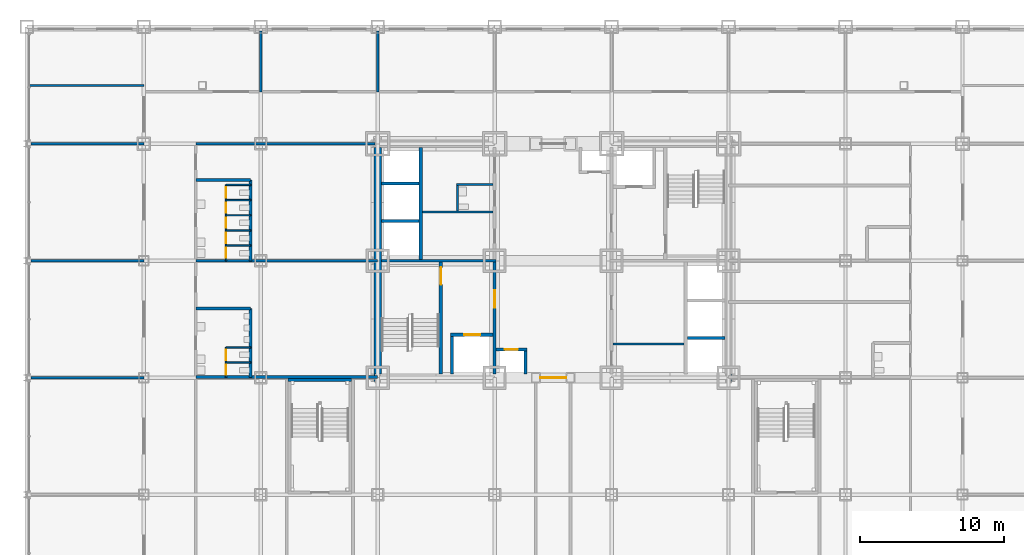
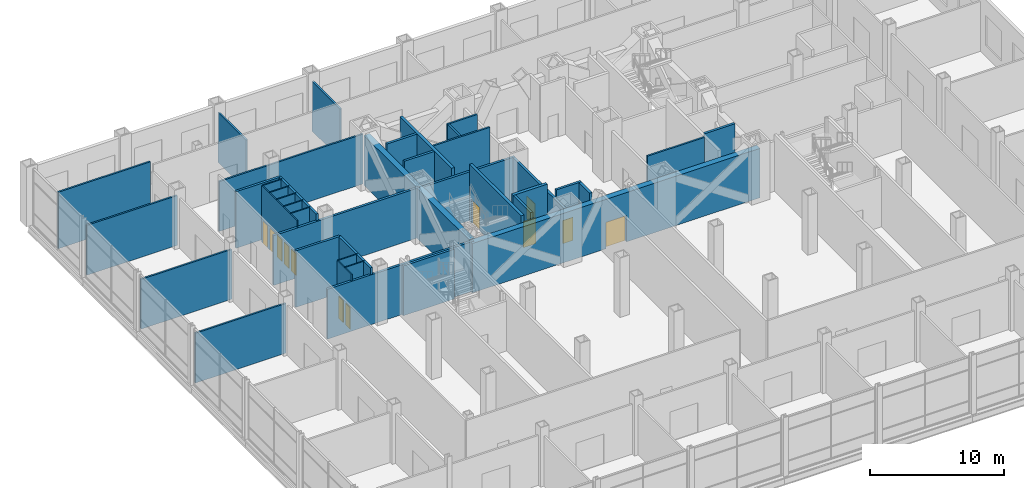
# One storey, part 23 of 30: 40 walls, 12 doors, 12 openings.
"""IFC4 building model written with IfcOpenShell, lengths in metres."""

from ifc_helpers import new_model, si_unit, direction, frame, frame_2d, origin, place, context, subcontext, project, spatial, rectangle, extrude, material, layer, layer_set, type_object, element, fill, save


model = new_model("IFC4")

# Units and contexts
model_context = context("Model", 3, precision=1e-05, world=origin(), true_north=direction((0.0, 1.0)))
body_context = subcontext(model_context, "Body", "Model", "MODEL_VIEW")
ifc_project = project(units=[si_unit("LENGTHUNIT", "METRE"), si_unit("AREAUNIT", "SQUARE_METRE"), si_unit("VOLUMEUNIT", "CUBIC_METRE"), si_unit("PLANEANGLEUNIT", "RADIAN"), si_unit("MASSUNIT", "GRAM", prefix="KILO")], contexts=[model_context])

# Site, building, storey
site_placement = place(None, origin())
site = spatial("IfcSite", under=ifc_project, at=site_placement, CompositionType="ELEMENT")
building_placement = place(site_placement, origin())
building = spatial("IfcBuilding", under=site, at=building_placement, Name="Kopane Lantern Tower", CompositionType="ELEMENT")
storey_placement = place(building_placement, frame((0.0, 0.0, 6.0)))
storey = spatial("IfcBuildingStorey", under=building, at=storey_placement, Name="L01", CompositionType="ELEMENT", Elevation=6.0)

# Wall, openings, doors
ifc_material_1 = material(Name="Moisture-resistant board on steel studs", Category="steel")
ifc_layer_1 = layer(ifc_material_1, 0.10009765625)
ifc_layer_set_1 = layer_set([ifc_layer_1], Name="BATHROOM WALL 100")
wall_type_1 = type_object("IfcWallType", Name="BATHROOM WALL 100", PredefinedType="PARTITIONING", material=ifc_layer_set_1)
wall_1_placement = place(storey_placement, frame((5.699951171875, 24.300048828125, 0.0), z_axis=(0.0, 0.0, 1.0), x_axis=(0.0, 1.0, 0.0)))
wall_1 = element("IfcWall", 1, at=wall_1_placement, inside=storey, type_object=wall_type_1, Name="Bathroom Wall 100 L01", PredefinedType="PARTITIONING", context=body_context, shape_type="SweptSolid", body=[
    extrude(rectangle(XDim=2.099853515625, YDim=0.10009765625, at=frame_2d((1.0498046875, 0.0))), origin(), (0.0, 0.0, 1.0), 5.14990234375),
])
opening_1_placement = place(wall_1_placement, frame((0.199951171875, 0.0, 0.0)))
opening_1 = element("IfcOpeningElement", 2, at=opening_1_placement, cuts=wall_1, Name="Opening L01-041", PredefinedType="OPENING", context=body_context, shape_type="SweptSolid", body=[
    extrude(rectangle(XDim=0.699951171875, YDim=2.0, at=frame_2d((0.35009765625, 1.0))), frame((0.0, 0.06005859375, 0.0), z_axis=(0.0, -1.0, 0.0), x_axis=(1.0, 0.0, 0.0)), (0.0, 0.0, 1.0), 0.1201171875),
])
opening_2_placement = place(wall_1_placement, frame((1.22509765625, 0.0, 0.0)))
opening_2 = element("IfcOpeningElement", 3, at=opening_2_placement, cuts=wall_1, Name="Opening L01-042", PredefinedType="OPENING", context=body_context, shape_type="SweptSolid", body=[
    extrude(rectangle(XDim=0.699951171875, YDim=2.0, at=frame_2d((0.35009765625, 1.0))), frame((0.0, 0.06005859375, 0.0), z_axis=(0.0, -1.0, 0.0), x_axis=(1.0, 0.0, 0.0)), (0.0, 0.0, 1.0), 0.1201171875),
])
ifc_material_2 = material(Name="Timber door set", Category="wood")
door_type_1 = type_object("IfcDoorType", Name="DOOR D13 700x2000 WC CUBICLE", OperationType="SINGLE_SWING_LEFT", PredefinedType="DOOR", material=ifc_material_2)
door_1_placement = place(opening_1_placement, origin())
door_1 = element("IfcDoor", 4, at=door_1_placement, inside=storey, type_object=door_type_1, Name="Door L01-041", OperationType="SINGLE_SWING_LEFT", OverallHeight=2.0, OverallWidth=0.699951171875, PredefinedType="DOOR", context=body_context, shape_type="SweptSolid", body=[
    extrude(rectangle(XDim=0.699951171875, YDim=2.0, at=frame_2d((0.35009765625, 1.0))), frame((0.0, 0.02490234375, 0.0), z_axis=(0.0, -1.0, 0.0), x_axis=(1.0, 0.0, 0.0)), (0.0, 0.0, 1.0), 0.050048828125),
])
fill(opening_1, door_1)
door_2_placement = place(opening_2_placement, origin())
door_2 = element("IfcDoor", 5, at=door_2_placement, inside=storey, type_object=door_type_1, Name="Door L01-042", OperationType="SINGLE_SWING_RIGHT", OverallHeight=2.0, OverallWidth=0.699951171875, PredefinedType="DOOR", context=body_context, shape_type="SweptSolid", body=[
    extrude(rectangle(XDim=0.699951171875, YDim=2.0, at=frame_2d((0.35009765625, 1.0))), frame((0.0, 0.02490234375, 0.0), z_axis=(0.0, -1.0, 0.0), x_axis=(1.0, 0.0, 0.0)), (0.0, 0.0, 1.0), 0.050048828125),
])
fill(opening_2, door_2)

# Walls
for number, where, z_axis, x_axis, name in (
    (6, (5.699951171875, 25.35009765625, 0.0), (0.0, 0.0, 1.0), (1.0, 0.0, 0.0), "Bathroom Wall 100 L01"),
    (7, (5.699951171875, 26.39990234375, 0.0), (0.0, 0.0, 1.0), (1.0, 0.0, 0.0), "Bathroom Wall 100 L01"),
):
    element("IfcWall", number, at=place(storey_placement, frame(where, z_axis=z_axis, x_axis=x_axis)), inside=storey, type_object=wall_type_1, Name=name, PredefinedType="PARTITIONING", context=body_context, shape_type="SweptSolid", body=[
        extrude(rectangle(XDim=1.699951171875, YDim=0.10009765625, at=frame_2d((0.85009765625, 0.0))), origin(), (0.0, 0.0, 1.0), 5.14990234375),
    ])

# Wall, openings, doors
wall_2_placement = place(storey_placement, frame((5.699951171875, 32.39990234375, 0.0), z_axis=(0.0, 0.0, 1.0), x_axis=(0.0, 1.0, 0.0)))
wall_2 = element("IfcWall", 8, at=wall_2_placement, inside=storey, type_object=wall_type_1, Name="Bathroom Wall 100 L01", PredefinedType="PARTITIONING", context=body_context, shape_type="SweptSolid", body=[
    extrude(rectangle(XDim=5.25, YDim=0.10009765625, at=frame_2d((2.625, 0.0))), origin(), (0.0, 0.0, 1.0), 5.14990234375),
])
opening_3_placement = place(wall_2_placement, frame((0.199951171875, 0.0, 0.0)))
opening_3 = element("IfcOpeningElement", 9, at=opening_3_placement, cuts=wall_2, Name="Opening L01-043", PredefinedType="OPENING", context=body_context, shape_type="SweptSolid", body=[
    extrude(rectangle(XDim=0.699951171875, YDim=2.0, at=frame_2d((0.35009765625, 1.0))), frame((0.0, 0.06005859375, 0.0), z_axis=(0.0, -1.0, 0.0), x_axis=(1.0, 0.0, 0.0)), (0.0, 0.0, 1.0), 0.1201171875),
])
opening_4_placement = place(wall_2_placement, frame((1.22509765625, 0.0, 0.0)))
opening_4 = element("IfcOpeningElement", 10, at=opening_4_placement, cuts=wall_2, Name="Opening L01-044", PredefinedType="OPENING", context=body_context, shape_type="SweptSolid", body=[
    extrude(rectangle(XDim=0.699951171875, YDim=2.0, at=frame_2d((0.35009765625, 1.0))), frame((0.0, 0.06005859375, 0.0), z_axis=(0.0, -1.0, 0.0), x_axis=(1.0, 0.0, 0.0)), (0.0, 0.0, 1.0), 0.1201171875),
])
opening_5_placement = place(wall_2_placement, frame((2.27490234375, 0.0, 0.0)))
opening_5 = element("IfcOpeningElement", 11, at=opening_5_placement, cuts=wall_2, Name="Opening L01-045", PredefinedType="OPENING", context=body_context, shape_type="SweptSolid", body=[
    extrude(rectangle(XDim=0.699951171875, YDim=2.0, at=frame_2d((0.35009765625, 1.0))), frame((0.0, 0.06005859375, 0.0), z_axis=(0.0, -1.0, 0.0), x_axis=(1.0, 0.0, 0.0)), (0.0, 0.0, 1.0), 0.1201171875),
])
opening_6_placement = place(wall_2_placement, frame((3.324951171875, 0.0, 0.0)))
opening_6 = element("IfcOpeningElement", 12, at=opening_6_placement, cuts=wall_2, Name="Opening L01-046", PredefinedType="OPENING", context=body_context, shape_type="SweptSolid", body=[
    extrude(rectangle(XDim=0.699951171875, YDim=2.0, at=frame_2d((0.35009765625, 1.0))), frame((0.0, 0.06005859375, 0.0), z_axis=(0.0, -1.0, 0.0), x_axis=(1.0, 0.0, 0.0)), (0.0, 0.0, 1.0), 0.1201171875),
])
opening_7_placement = place(wall_2_placement, frame((4.375, 0.0, 0.0)))
opening_7 = element("IfcOpeningElement", 13, at=opening_7_placement, cuts=wall_2, Name="Opening L01-047", PredefinedType="OPENING", context=body_context, shape_type="SweptSolid", body=[
    extrude(rectangle(XDim=0.699951171875, YDim=2.0, at=frame_2d((0.35009765625, 1.0))), frame((0.0, 0.06005859375, 0.0), z_axis=(0.0, -1.0, 0.0), x_axis=(1.0, 0.0, 0.0)), (0.0, 0.0, 1.0), 0.1201171875),
])
door_3_placement = place(opening_3_placement, origin())
door_3 = element("IfcDoor", 14, at=door_3_placement, inside=storey, type_object=door_type_1, Name="Door L01-043", OperationType="SINGLE_SWING_LEFT", OverallHeight=2.0, OverallWidth=0.699951171875, PredefinedType="DOOR", context=body_context, shape_type="SweptSolid", body=[
    extrude(rectangle(XDim=0.699951171875, YDim=2.0, at=frame_2d((0.35009765625, 1.0))), frame((0.0, 0.02490234375, 0.0), z_axis=(0.0, -1.0, 0.0), x_axis=(1.0, 0.0, 0.0)), (0.0, 0.0, 1.0), 0.050048828125),
])
fill(opening_3, door_3)
door_4_placement = place(opening_4_placement, origin())
door_4 = element("IfcDoor", 15, at=door_4_placement, inside=storey, type_object=door_type_1, Name="Door L01-044", OperationType="SINGLE_SWING_RIGHT", OverallHeight=2.0, OverallWidth=0.699951171875, PredefinedType="DOOR", context=body_context, shape_type="SweptSolid", body=[
    extrude(rectangle(XDim=0.699951171875, YDim=2.0, at=frame_2d((0.35009765625, 1.0))), frame((0.0, 0.02490234375, 0.0), z_axis=(0.0, -1.0, 0.0), x_axis=(1.0, 0.0, 0.0)), (0.0, 0.0, 1.0), 0.050048828125),
])
fill(opening_4, door_4)
door_5_placement = place(opening_5_placement, origin())
door_5 = element("IfcDoor", 16, at=door_5_placement, inside=storey, type_object=door_type_1, Name="Door L01-045", OperationType="SINGLE_SWING_LEFT", OverallHeight=2.0, OverallWidth=0.699951171875, PredefinedType="DOOR", context=body_context, shape_type="SweptSolid", body=[
    extrude(rectangle(XDim=0.699951171875, YDim=2.0, at=frame_2d((0.35009765625, 1.0))), frame((0.0, 0.02490234375, 0.0), z_axis=(0.0, -1.0, 0.0), x_axis=(1.0, 0.0, 0.0)), (0.0, 0.0, 1.0), 0.050048828125),
])
fill(opening_5, door_5)
door_6_placement = place(opening_6_placement, origin())
door_6 = element("IfcDoor", 17, at=door_6_placement, inside=storey, type_object=door_type_1, Name="Door L01-046", OperationType="SINGLE_SWING_RIGHT", OverallHeight=2.0, OverallWidth=0.699951171875, PredefinedType="DOOR", context=body_context, shape_type="SweptSolid", body=[
    extrude(rectangle(XDim=0.699951171875, YDim=2.0, at=frame_2d((0.35009765625, 1.0))), frame((0.0, 0.02490234375, 0.0), z_axis=(0.0, -1.0, 0.0), x_axis=(1.0, 0.0, 0.0)), (0.0, 0.0, 1.0), 0.050048828125),
])
fill(opening_6, door_6)
door_7_placement = place(opening_7_placement, origin())
door_7 = element("IfcDoor", 18, at=door_7_placement, inside=storey, type_object=door_type_1, Name="Door L01-047", OperationType="SINGLE_SWING_LEFT", OverallHeight=2.0, OverallWidth=0.699951171875, PredefinedType="DOOR", context=body_context, shape_type="SweptSolid", body=[
    extrude(rectangle(XDim=0.699951171875, YDim=2.0, at=frame_2d((0.35009765625, 1.0))), frame((0.0, 0.02490234375, 0.0), z_axis=(0.0, -1.0, 0.0), x_axis=(1.0, 0.0, 0.0)), (0.0, 0.0, 1.0), 0.050048828125),
])
fill(opening_7, door_7)

# Walls
for number, where, z_axis, x_axis, name in (
    (19, (5.699951171875, 33.449951171875, 0.0), (0.0, 0.0, 1.0), (1.0, 0.0, 0.0), "Bathroom Wall 100 L01"),
    (20, (5.699951171875, 34.5, 0.0), (0.0, 0.0, 1.0), (1.0, 0.0, 0.0), "Bathroom Wall 100 L01"),
    (21, (5.699951171875, 35.550048828125, 0.0), (0.0, 0.0, 1.0), (1.0, 0.0, 0.0), "Bathroom Wall 100 L01"),
    (22, (5.699951171875, 36.60009765625, 0.0), (0.0, 0.0, 1.0), (1.0, 0.0, 0.0), "Bathroom Wall 100 L01"),
    (23, (5.699951171875, 37.64990234375, 0.0), (0.0, 0.0, 1.0), (1.0, 0.0, 0.0), "Bathroom Wall 100 L01"),
):
    element("IfcWall", number, at=place(storey_placement, frame(where, z_axis=z_axis, x_axis=x_axis)), inside=storey, type_object=wall_type_1, Name=name, PredefinedType="PARTITIONING", context=body_context, shape_type="SweptSolid", body=[
        extrude(rectangle(XDim=1.699951171875, YDim=0.10009765625, at=frame_2d((0.85009765625, 0.0))), origin(), (0.0, 0.0, 1.0), 5.14990234375),
    ])

# Wall, opening, door
ifc_material_3 = material(Name="Gypsum shaft wall EI 120", Category="gypsum")
ifc_layer_2 = layer(ifc_material_3, 0.5)
ifc_layer_set_2 = layer_set([ifc_layer_2], Name="CORE PERIMETER WALL 500 EI 120")
wall_type_2 = type_object("IfcWallType", Name="CORE PERIMETER WALL 500 EI 120", PredefinedType="SOLIDWALL", material=ifc_layer_set_2)
wall_3_placement = place(storey_placement, frame((15.949951171875, 24.300048828125, 0.0), z_axis=(0.0, 0.0, 1.0), x_axis=(1.0, 0.0, 0.0)))
wall_3 = element("IfcWall", 24, at=wall_3_placement, inside=storey, type_object=wall_type_2, Name="Core shaft wall L01 PS", PredefinedType="SOLIDWALL", context=body_context, shape_type="SweptSolid", body=[
    extrude(rectangle(XDim=24.800048828125, YDim=0.5, at=frame_2d((12.39990234375, 0.0))), origin(), (0.0, 0.0, 1.0), 4.5),
])
opening_8_placement = place(wall_3_placement, frame((11.5, 0.0, 0.0)))
opening_8 = element("IfcOpeningElement", 25, at=opening_8_placement, cuts=wall_3, Name="Opening 01.CE-S", PredefinedType="OPENING", context=body_context, shape_type="SweptSolid", body=[
    extrude(rectangle(XDim=1.800048828125, YDim=2.39990234375, at=frame_2d((0.89990234375, 1.199951171875))), frame((0.0, 0.260009765625, 0.0), z_axis=(0.0, -1.0, 0.0), x_axis=(1.0, 0.0, 0.0)), (0.0, 0.0, 1.0), 0.52001953125),
])
ifc_material_4 = material(Name="Steel door set", Category="steel")
door_type_2 = type_object("IfcDoorType", Name="CORE ENTRY DOOR 1800x2400 FD60S", OperationType="DOUBLE_DOOR_SINGLE_SWING", PredefinedType="DOOR", material=ifc_material_4)
door_8_placement = place(opening_8_placement, origin())
door_8 = element("IfcDoor", 26, at=door_8_placement, inside=storey, type_object=door_type_2, Name="Core entry door L01 south", OperationType="DOUBLE_DOOR_SINGLE_SWING", OverallHeight=2.39990234375, OverallWidth=1.800048828125, PredefinedType="DOOR", context=body_context, shape_type="SweptSolid", body=[
    extrude(rectangle(XDim=1.800048828125, YDim=2.39990234375, at=frame_2d((0.89990234375, 1.199951171875))), frame((0.0, 0.02490234375, 0.0), z_axis=(0.0, -1.0, 0.0), x_axis=(1.0, 0.0, 0.0)), (0.0, 0.0, 1.0), 0.050048828125),
])
fill(opening_8, door_8)

# Walls
wall_4_placement = place(storey_placement, frame((16.199951171875, 24.550048828125, 0.0), z_axis=(0.0, 0.0, 1.0), x_axis=(0.0, 1.0, 0.0)))
element("IfcWall", 27, at=wall_4_placement, inside=storey, type_object=wall_type_2, Name="Core shaft wall L01 PW", PredefinedType="SOLIDWALL", context=body_context, shape_type="SweptSolid", body=[
    extrude(rectangle(XDim=15.699951171875, YDim=0.5, at=frame_2d((7.85009765625, 0.0))), origin(), (0.0, 0.0, 1.0), 4.537841796875),
])
ifc_material_5 = material(Name="Gypsum partition EI 60", Category="gypsum")
ifc_layer_3 = layer(ifc_material_5, 0.14990234375)
ifc_layer_set_3 = layer_set([ifc_layer_3], Name="CORE ROOM PARTITION 150 EI 60")
wall_type_3 = type_object("IfcWallType", Name="CORE ROOM PARTITION 150 EI 60", PredefinedType="PARTITIONING", material=ifc_layer_set_3)
wall_5_placement = place(storey_placement, frame((19.300048828125, 35.77490234375, 0.0), z_axis=(0.0, 0.0, 1.0), x_axis=(1.0, 0.0, 0.0)))
element("IfcWall", 28, at=wall_5_placement, inside=storey, type_object=wall_type_3, Name="Core room partition L01 WL1", PredefinedType="PARTITIONING", context=body_context, shape_type="SweptSolid", body=[
    extrude(rectangle(XDim=4.89990234375, YDim=0.14990234375, at=frame_2d((2.449951171875, 0.0))), origin(), (0.0, 0.0, 1.0), 5.14990234375),
])
wall_6_placement = place(storey_placement, frame((21.64990234375, 37.675048828125, 0.0), z_axis=(0.0, 0.0, 1.0), x_axis=(1.0, 0.0, 0.0)))
element("IfcWall", 29, at=wall_6_placement, inside=storey, type_object=wall_type_3, Name="Core room partition L01 WL2", PredefinedType="PARTITIONING", context=body_context, shape_type="SweptSolid", body=[
    extrude(rectangle(XDim=2.550048828125, YDim=0.14990234375, at=frame_2d((1.27490234375, 0.0))), origin(), (0.0, 0.0, 1.0), 5.14990234375),
])
wall_7_placement = place(storey_placement, frame((21.72509765625, 35.85009765625, 0.0), z_axis=(0.0, 0.0, 1.0), x_axis=(0.0, 1.0, 0.0)))
element("IfcWall", 30, at=wall_7_placement, inside=storey, type_object=wall_type_3, Name="Core room partition L01 WLB1", PredefinedType="PARTITIONING", context=body_context, shape_type="SweptSolid", body=[
    extrude(rectangle(XDim=1.75, YDim=0.14990234375, at=frame_2d((0.875, 0.0))), origin(), (0.0, 0.0, 1.0), 5.14990234375),
])
wall_8_placement = place(storey_placement, frame((32.5, 26.625, 0.0), z_axis=(0.0, 0.0, 1.0), x_axis=(1.0, 0.0, 0.0)))
element("IfcWall", 31, at=wall_8_placement, inside=storey, type_object=wall_type_3, Name="Core room partition L01 E1", PredefinedType="PARTITIONING", context=body_context, shape_type="SweptSolid", body=[
    extrude(rectangle(XDim=4.89990234375, YDim=0.14990234375, at=frame_2d((2.449951171875, 0.0))), origin(), (0.0, 0.0, 1.0), 5.14990234375),
])

# Wall, opening, door
ifc_material_6 = material(Name="Gypsum shaft wall EI 120", Category="gypsum")
ifc_layer_4 = layer(ifc_material_6, 0.25)
ifc_layer_set_4 = layer_set([ifc_layer_4], Name="CORE SHAFT WALL 250 EI 120")
wall_type_4 = type_object("IfcWallType", Name="CORE SHAFT WALL 250 EI 120", PredefinedType="SOLIDWALL", material=ifc_layer_set_4)
wall_9_placement = place(storey_placement, frame((20.574951171875, 24.550048828125, 0.0), z_axis=(0.0, 0.0, 1.0), x_axis=(0.0, 1.0, 0.0)))
wall_9 = element("IfcWall", 32, at=wall_9_placement, inside=storey, type_object=wall_type_4, Name="Core shaft wall L01 XST1", PredefinedType="SOLIDWALL", context=body_context, shape_type="SweptSolid", body=[
    extrude(rectangle(XDim=7.75, YDim=0.25, at=frame_2d((3.875, 0.0))), origin(), (0.0, 0.0, 1.0), 5.14990234375),
])
opening_9_placement = place(wall_9_placement, frame((6.199951171875, 0.0, 0.0)))
opening_9 = element("IfcOpeningElement", 33, at=opening_9_placement, cuts=wall_9, Name="Opening 01.SD1", PredefinedType="OPENING", context=body_context, shape_type="SweptSolid", body=[
    extrude(rectangle(XDim=1.199951171875, YDim=2.10009765625, at=frame_2d((0.60009765625, 1.050048828125))), frame((0.0, 0.135009765625, 0.0), z_axis=(0.0, -1.0, 0.0), x_axis=(1.0, 0.0, 0.0)), (0.0, 0.0, 1.0), 0.27001953125),
])
ifc_material_7 = material(Name="Steel door set", Category="steel")
door_type_3 = type_object("IfcDoorType", Name="STAIR DOOR 1200x2100 FD60S", OperationType="SINGLE_SWING_LEFT", PredefinedType="DOOR", material=ifc_material_7)
door_9_placement = place(opening_9_placement, origin())
door_9 = element("IfcDoor", 34, at=door_9_placement, inside=storey, type_object=door_type_3, Name="Stair door ST1 L01", OperationType="SINGLE_SWING_LEFT", OverallHeight=2.10009765625, OverallWidth=1.199951171875, PredefinedType="DOOR", context=body_context, shape_type="SweptSolid", body=[
    extrude(rectangle(XDim=1.199951171875, YDim=2.10009765625, at=frame_2d((0.60009765625, 1.050048828125))), frame((0.0, 0.02490234375, 0.0), z_axis=(0.0, -1.0, 0.0), x_axis=(1.0, 0.0, 0.0)), (0.0, 0.0, 1.0), 0.050048828125),
])
fill(opening_9, door_9)

wall_10_placement = place(storey_placement, frame((21.25, 27.27490234375, 0.0), z_axis=(0.0, 0.0, 1.0), x_axis=(1.0, 0.0, 0.0)))
wall_10 = element("IfcWall", 35, at=wall_10_placement, inside=storey, type_object=wall_type_4, Name="Core shaft wall L01 YLF1", PredefinedType="SOLIDWALL", context=body_context, shape_type="SweptSolid", body=[
    extrude(rectangle(XDim=2.949951171875, YDim=0.25, at=frame_2d((1.47509765625, 0.0))), origin(), (0.0, 0.0, 1.0), 5.14990234375),
])
opening_10_placement = place(wall_10_placement, frame((0.949951171875, 0.0, 0.0)))
opening_10 = element("IfcOpeningElement", 36, at=opening_10_placement, cuts=wall_10, Name="Opening 01.LD-LF1", PredefinedType="OPENING", context=body_context, shape_type="SweptSolid", body=[
    extrude(rectangle(XDim=1.10009765625, YDim=2.39990234375, at=frame_2d((0.550048828125, 1.199951171875))), frame((0.0, 0.135009765625, 0.0), z_axis=(0.0, -1.0, 0.0), x_axis=(1.0, 0.0, 0.0)), (0.0, 0.0, 1.0), 0.27001953125),
])
ifc_material_8 = material(Name="Steel door set", Category="steel")
door_type_4 = type_object("IfcDoorType", Name="LIFT LANDING DOOR 1100x2400 FD60", OperationType="DOUBLE_DOOR_SLIDING", PredefinedType="DOOR", material=ifc_material_8)
door_10_placement = place(opening_10_placement, origin())
door_10 = element("IfcDoor", 37, at=door_10_placement, inside=storey, type_object=door_type_4, Name="Landing door LF1 L01", OperationType="DOUBLE_DOOR_SLIDING", OverallHeight=2.39990234375, OverallWidth=1.10009765625, PredefinedType="DOOR", context=body_context, shape_type="SweptSolid", body=[
    extrude(rectangle(XDim=1.10009765625, YDim=2.39990234375, at=frame_2d((0.550048828125, 1.199951171875))), frame((0.0, 0.02490234375, 0.0), z_axis=(0.0, -1.0, 0.0), x_axis=(1.0, 0.0, 0.0)), (0.0, 0.0, 1.0), 0.050048828125),
])
fill(opening_10, door_10)

# Walls
wall_11_placement = place(storey_placement, frame((19.175048828125, 32.5, 0.0), z_axis=(0.0, 0.0, 1.0), x_axis=(0.0, 1.0, 0.0)))
element("IfcWall", 38, at=wall_11_placement, inside=storey, type_object=wall_type_4, Name="Core shaft wall L01 XLH", PredefinedType="SOLIDWALL", context=body_context, shape_type="SweptSolid", body=[
    extrude(rectangle(XDim=7.75, YDim=0.25, at=frame_2d((3.875, 0.0))), origin(), (0.0, 0.0, 1.0), 5.14990234375),
])
ifc_material_9 = material(Name="Gypsum board on steel studs", Category="steel")
ifc_layer_5 = layer(ifc_material_9, 0.14990234375)
ifc_layer_set_5 = layer_set([ifc_layer_5], Name="CORRIDOR WALL 150 EI 60")
wall_type_5 = type_object("IfcWallType", Name="CORRIDOR WALL 150 EI 60", PredefinedType="PARTITIONING", material=ifc_layer_set_5)
wall_12_placement = place(storey_placement, frame((16.0, 40.5, 0.0), z_axis=(0.0, 0.0, 1.0), x_axis=(-1.0, 0.0, 0.0)))
element("IfcWall", 39, at=wall_12_placement, inside=storey, type_object=wall_type_5, Name="Corridor Wall 150 Ei 60 L01", PredefinedType="PARTITIONING", context=body_context, shape_type="SweptSolid", body=[
    extrude(rectangle(XDim=12.39990234375, YDim=0.14990234375, at=frame_2d((6.199951171875, 0.0))), origin(), (0.0, 0.0, 1.0), 4.537841796875),
])
ifc_material_10 = material(Name="Gypsum board on steel studs", Category="steel")
ifc_layer_6 = layer(ifc_material_10, 0.14990234375)
ifc_layer_set_6 = layer_set([ifc_layer_6], Name="DEMISING WALL 150 EI 60")
wall_type_6 = type_object("IfcWallType", Name="DEMISING WALL 150 EI 60", PredefinedType="PARTITIONING", material=ifc_layer_set_6)
wall_13_placement = place(storey_placement, frame((16.199951171875, 44.10009765625, 0.0), z_axis=(0.0, 0.0, 1.0), x_axis=(0.0, 1.0, 0.0)))
element("IfcWall", 40, at=wall_13_placement, inside=storey, type_object=wall_type_6, Name="Demising Wall 150 Ei 60 L01", PredefinedType="PARTITIONING", context=body_context, shape_type="SweptSolid", body=[
    extrude(rectangle(XDim=4.199951171875, YDim=0.14990234375, at=frame_2d((2.10009765625, 0.0))), origin(), (0.0, 0.0, 1.0), 4.537841796875),
])
for number, where, z_axis, x_axis, name in (
    (41, (0.0, 24.300048828125, 0.0), (0.0, 0.0, 1.0), (-1.0, 0.0, 0.0), "Demising Wall 150 Ei 60 L01"),
    (42, (0.0, 32.39990234375, 0.0), (0.0, 0.0, 1.0), (-1.0, 0.0, 0.0), "Demising Wall 150 Ei 60 L01"),
    (43, (0.0, 40.5, 0.0), (0.0, 0.0, 1.0), (-1.0, 0.0, 0.0), "Demising Wall 150 Ei 60 L01"),
):
    element("IfcWall", number, at=place(storey_placement, frame(where, z_axis=z_axis, x_axis=x_axis)), inside=storey, type_object=wall_type_6, Name=name, PredefinedType="PARTITIONING", context=body_context, shape_type="SweptSolid", body=[
        extrude(rectangle(XDim=7.800048828125, YDim=0.14990234375, at=frame_2d((3.89990234375, 0.0))), origin(), (0.0, 0.0, 1.0), 4.537841796875),
    ])
wall_14_placement = place(storey_placement, frame((-7.930908203125, 44.550048828125, 0.0), z_axis=(0.0, 0.0, 1.0), x_axis=(1.0, 0.0, 0.0)))
element("IfcWall", 44, at=wall_14_placement, inside=storey, type_object=wall_type_6, Name="Demising Wall 150 Ei 60 L01", PredefinedType="PARTITIONING", context=body_context, shape_type="SweptSolid", body=[
    extrude(rectangle(XDim=7.930908203125, YDim=0.14990234375, at=frame_2d((3.96533203125, 0.0))), origin(), (0.0, 0.0, 1.0), 5.14990234375),
])
wall_15_placement = place(storey_placement, frame((8.10009765625, 44.10009765625, 0.0), z_axis=(0.0, 0.0, 1.0), x_axis=(0.0, 1.0, 0.0)))
element("IfcWall", 45, at=wall_15_placement, inside=storey, type_object=wall_type_6, Name="Demising Wall 150 Ei 60 L01", PredefinedType="PARTITIONING", context=body_context, shape_type="SweptSolid", body=[
    extrude(rectangle(XDim=4.199951171875, YDim=0.14990234375, at=frame_2d((2.10009765625, 0.0))), origin(), (0.0, 0.0, 1.0), 4.537841796875),
])
ifc_material_11 = material(Name="Concrete masonry", Category="masonry")
ifc_layer_7 = layer(ifc_material_11, 0.199951171875)
ifc_layer_set_7 = layer_set([ifc_layer_7], Name="PLANT ROOM WALL 200 EI 120")
wall_type_7 = type_object("IfcWallType", Name="PLANT ROOM WALL 200 EI 120", PredefinedType="SOLIDWALL", material=ifc_layer_set_7)
wall_16_placement = place(storey_placement, frame((3.60009765625, 32.39990234375, 0.0), z_axis=(0.0, 0.0, 1.0), x_axis=(1.0, 0.0, 0.0)))
element("IfcWall", 46, at=wall_16_placement, inside=storey, type_object=wall_type_7, Name="Plant Room Wall 200 Ei 120 L01", PredefinedType="SOLIDWALL", context=body_context, shape_type="SweptSolid", body=[
    extrude(rectangle(XDim=12.599853515625, YDim=0.199951171875, at=frame_2d((6.2998046875, 0.0))), origin(), (0.0, 0.0, 1.0), 4.537841796875),
])
wall_17_placement = place(storey_placement, frame((3.60009765625, 29.10009765625, 0.0), z_axis=(0.0, 0.0, 1.0), x_axis=(1.0, 0.0, 0.0)))
element("IfcWall", 47, at=wall_17_placement, inside=storey, type_object=wall_type_7, Name="Plant Room Wall 200 Ei 120 L01", PredefinedType="SOLIDWALL", context=body_context, shape_type="SweptSolid", body=[
    extrude(rectangle(XDim=3.7998046875, YDim=0.199951171875, at=frame_2d((1.89990234375, 0.0))), origin(), (0.0, 0.0, 1.0), 5.14990234375),
])
wall_18_placement = place(storey_placement, frame((7.39990234375, 24.300048828125, 0.0), z_axis=(0.0, 0.0, 1.0), x_axis=(0.0, 1.0, 0.0)))
element("IfcWall", 48, at=wall_18_placement, inside=storey, type_object=wall_type_7, Name="Plant Room Wall 200 Ei 120 L01", PredefinedType="SOLIDWALL", context=body_context, shape_type="SweptSolid", body=[
    extrude(rectangle(XDim=4.800048828125, YDim=0.199951171875, at=frame_2d((2.39990234375, 0.0))), origin(), (0.0, 0.0, 1.0), 5.14990234375),
])
wall_19_placement = place(storey_placement, frame((3.60009765625, 38.0, 0.0), z_axis=(0.0, 0.0, 1.0), x_axis=(1.0, 0.0, 0.0)))
element("IfcWall", 49, at=wall_19_placement, inside=storey, type_object=wall_type_7, Name="Plant Room Wall 200 Ei 120 L01", PredefinedType="SOLIDWALL", context=body_context, shape_type="SweptSolid", body=[
    extrude(rectangle(XDim=3.7998046875, YDim=0.199951171875, at=frame_2d((1.89990234375, 0.0))), origin(), (0.0, 0.0, 1.0), 5.14990234375),
])
wall_20_placement = place(storey_placement, frame((7.39990234375, 32.39990234375, 0.0), z_axis=(0.0, 0.0, 1.0), x_axis=(0.0, 1.0, 0.0)))
element("IfcWall", 50, at=wall_20_placement, inside=storey, type_object=wall_type_7, Name="Plant Room Wall 200 Ei 120 L01", PredefinedType="SOLIDWALL", context=body_context, shape_type="SweptSolid", body=[
    extrude(rectangle(XDim=5.60009765625, YDim=0.199951171875, at=frame_2d((2.800048828125, 0.0))), origin(), (0.0, 0.0, 1.0), 5.14990234375),
])
wall_21_placement = place(storey_placement, frame((3.60009765625, 24.35009765625, 0.0), z_axis=(0.0, 0.0, 1.0), x_axis=(1.0, 0.0, 0.0)))
element("IfcWall", 51, at=wall_21_placement, inside=storey, type_object=wall_type_7, Name="Plant Room Wall 200 Ei 120 L01", PredefinedType="SOLIDWALL", context=body_context, shape_type="SweptSolid", body=[
    extrude(rectangle(XDim=12.599853515625, YDim=0.199951171875, at=frame_2d((6.2998046875, 0.0))), origin(), (0.0, 0.0, 1.0), 4.537841796875),
])
ifc_material_12 = material(Name="Gypsum shaft wall EI 120", Category="gypsum")
ifc_layer_8 = layer(ifc_material_12, 0.199951171875)
ifc_layer_set_8 = layer_set([ifc_layer_8], Name="SHAFT WALL 200 EI 120")
wall_type_8 = type_object("IfcWallType", Name="SHAFT WALL 200 EI 120", PredefinedType="SOLIDWALL", material=ifc_layer_set_8)
wall_22_placement = place(storey_placement, frame((16.449951171875, 32.39990234375, 0.0), z_axis=(0.0, 0.0, 1.0), x_axis=(1.0, 0.0, 0.0)))
element("IfcWall", 52, at=wall_22_placement, inside=storey, type_object=wall_type_8, Name="Core shaft wall L01 Y324W", PredefinedType="SOLIDWALL", context=body_context, shape_type="SweptSolid", body=[
    extrude(rectangle(XDim=7.949951171875, YDim=0.199951171875, at=frame_2d((3.97509765625, 0.0))), origin(), (0.0, 0.0, 1.0), 4.449951171875),
])

# Wall, opening, door
wall_23_placement = place(storey_placement, frame((24.300048828125, 24.550048828125, 0.0), z_axis=(0.0, 0.0, 1.0), x_axis=(0.0, 1.0, 0.0)))
wall_23 = element("IfcWall", 53, at=wall_23_placement, inside=storey, type_object=wall_type_8, Name="Core shaft wall L01 X243", PredefinedType="SOLIDWALL", context=body_context, shape_type="SweptSolid", body=[
    extrude(rectangle(XDim=7.75, YDim=0.199951171875, at=frame_2d((3.875, 0.0))), origin(), (0.0, 0.0, 1.0), 4.449951171875),
])
opening_11_placement = place(wall_23_placement, frame((4.60009765625, 0.0, 0.0)))
opening_11 = element("IfcOpeningElement", 54, at=opening_11_placement, cuts=wall_23, Name="Opening 01.FL1", PredefinedType="OPENING", context=body_context, shape_type="SweptSolid", body=[
    extrude(rectangle(XDim=1.199951171875, YDim=2.10009765625, at=frame_2d((0.60009765625, 1.050048828125))), frame((0.0, 0.10986328125, 0.0), z_axis=(0.0, -1.0, 0.0), x_axis=(1.0, 0.0, 0.0)), (0.0, 0.0, 1.0), 0.219970703125),
])
ifc_material_13 = material(Name="Steel door set", Category="steel")
door_type_5 = type_object("IfcDoorType", Name="FIREFIGHTING LOBBY DOOR 1200x2100 FD60S", OperationType="SINGLE_SWING_RIGHT", PredefinedType="DOOR", material=ifc_material_13)
door_11_placement = place(opening_11_placement, origin())
door_11 = element("IfcDoor", 55, at=door_11_placement, inside=storey, type_object=door_type_5, Name="Firefighting lobby door FL1 L01", OperationType="SINGLE_SWING_LEFT", OverallHeight=2.10009765625, OverallWidth=1.199951171875, PredefinedType="DOOR", context=body_context, shape_type="SweptSolid", body=[
    extrude(rectangle(XDim=1.199951171875, YDim=2.10009765625, at=frame_2d((0.60009765625, 1.050048828125))), frame((0.0, 0.02490234375, 0.0), z_axis=(0.0, -1.0, 0.0), x_axis=(1.0, 0.0, 0.0)), (0.0, 0.0, 1.0), 0.050048828125),
])
fill(opening_11, door_11)

# Walls
wall_24_placement = place(storey_placement, frame((21.35009765625, 24.550048828125, 0.0), z_axis=(0.0, 0.0, 1.0), x_axis=(0.0, 1.0, 0.0)))
element("IfcWall", 56, at=wall_24_placement, inside=storey, type_object=wall_type_8, Name="Core shaft wall L01 XLF1", PredefinedType="SOLIDWALL", context=body_context, shape_type="SweptSolid", body=[
    extrude(rectangle(XDim=2.599853515625, YDim=0.199951171875, at=frame_2d((1.2998046875, 0.0))), origin(), (0.0, 0.0, 1.0), 5.14990234375),
])
for number, where, z_axis, x_axis, name in (
    (57, (16.449951171875, 35.14990234375, 0.0), (0.0, 0.0, 1.0), (1.0, 0.0, 0.0), "Core shaft wall L01 YLH12"),
    (58, (16.449951171875, 37.75, 0.0), (0.0, 0.0, 1.0), (1.0, 0.0, 0.0), "Core shaft wall L01 YLH23"),
):
    element("IfcWall", number, at=place(storey_placement, frame(where, z_axis=z_axis, x_axis=x_axis)), inside=storey, type_object=wall_type_8, Name=name, PredefinedType="SOLIDWALL", context=body_context, shape_type="SweptSolid", body=[
        extrude(rectangle(XDim=2.60009765625, YDim=0.199951171875, at=frame_2d((1.300048828125, 0.0))), origin(), (0.0, 0.0, 1.0), 5.14990234375),
    ])
wall_25_placement = place(storey_placement, frame((26.449951171875, 24.550048828125, 0.0), z_axis=(0.0, 0.0, 1.0), x_axis=(0.0, 1.0, 0.0)))
element("IfcWall", 59, at=wall_25_placement, inside=storey, type_object=wall_type_8, Name="Core shaft wall L01 XRS1", PredefinedType="SOLIDWALL", context=body_context, shape_type="SweptSolid", body=[
    extrude(rectangle(XDim=1.599853515625, YDim=0.199951171875, at=frame_2d((0.7998046875, 0.0))), origin(), (0.0, 0.0, 1.0), 5.14990234375),
])

# Wall, opening, door
wall_26_placement = place(storey_placement, frame((24.39990234375, 26.25, 0.0), z_axis=(0.0, 0.0, 1.0), x_axis=(1.0, 0.0, 0.0)))
wall_26 = element("IfcWall", 60, at=wall_26_placement, inside=storey, type_object=wall_type_8, Name="Core shaft wall L01 YRS1", PredefinedType="SOLIDWALL", context=body_context, shape_type="SweptSolid", body=[
    extrude(rectangle(XDim=2.150146484375, YDim=0.199951171875, at=frame_2d((1.0751953125, 0.0))), origin(), (0.0, 0.0, 1.0), 5.14990234375),
])
opening_12_placement = place(wall_26_placement, frame((0.60009765625, 0.0, 0.0)))
opening_12 = element("IfcOpeningElement", 61, at=opening_12_placement, cuts=wall_26, Name="Opening 01.RS1", PredefinedType="OPENING", context=body_context, shape_type="SweptSolid", body=[
    extrude(rectangle(XDim=0.89990234375, YDim=2.10009765625, at=frame_2d((0.449951171875, 1.050048828125))), frame((0.0, 0.10986328125, 0.0), z_axis=(0.0, -1.0, 0.0), x_axis=(1.0, 0.0, 0.0)), (0.0, 0.0, 1.0), 0.219970703125),
])
ifc_material_14 = material(Name="Steel door set", Category="steel")
door_type_6 = type_object("IfcDoorType", Name="RISER ACCESS DOOR 900x2100 FD60", OperationType="SINGLE_SWING_LEFT", PredefinedType="DOOR", material=ifc_material_14)
door_12_placement = place(opening_12_placement, origin())
door_12 = element("IfcDoor", 62, at=door_12_placement, inside=storey, type_object=door_type_6, Name="Riser access door RS1 L01", OperationType="SINGLE_SWING_LEFT", OverallHeight=2.10009765625, OverallWidth=0.89990234375, PredefinedType="DOOR", context=body_context, shape_type="SweptSolid", body=[
    extrude(rectangle(XDim=0.89990234375, YDim=2.10009765625, at=frame_2d((0.449951171875, 1.050048828125))), frame((0.0, 0.02490234375, 0.0), z_axis=(0.0, -1.0, 0.0), x_axis=(1.0, 0.0, 0.0)), (0.0, 0.0, 1.0), 0.050048828125),
])
fill(opening_12, door_12)

# Walls
wall_27_placement = place(storey_placement, frame((37.64990234375, 27.050048828125, 0.0), z_axis=(0.0, 0.0, 1.0), x_axis=(1.0, 0.0, 0.0)))
element("IfcWall", 63, at=wall_27_placement, inside=storey, type_object=wall_type_8, Name="Core shaft wall L01 YLR12", PredefinedType="SOLIDWALL", context=body_context, shape_type="SweptSolid", body=[
    extrude(rectangle(XDim=2.60009765625, YDim=0.199951171875, at=frame_2d((1.300048828125, 0.0))), origin(), (0.0, 0.0, 1.0), 5.14990234375),
])
wall_28_placement = place(storey_placement, frame((10.0, 24.14990234375, 0.0), z_axis=(0.0, 0.0, 1.0), x_axis=(1.0, 0.0, 0.0)))
element("IfcWall", 64, at=wall_28_placement, inside=storey, type_object=wall_type_8, Name="Stair enclosure wall ST3 L01", PredefinedType="SOLIDWALL", context=body_context, shape_type="SweptSolid", body=[
    extrude(rectangle(XDim=4.39990234375, YDim=0.199951171875, at=frame_2d((2.199951171875, 0.0))), origin(), (0.0, 0.0, 1.0), 4.537841796875),
])

save(model, "model.ifc")
